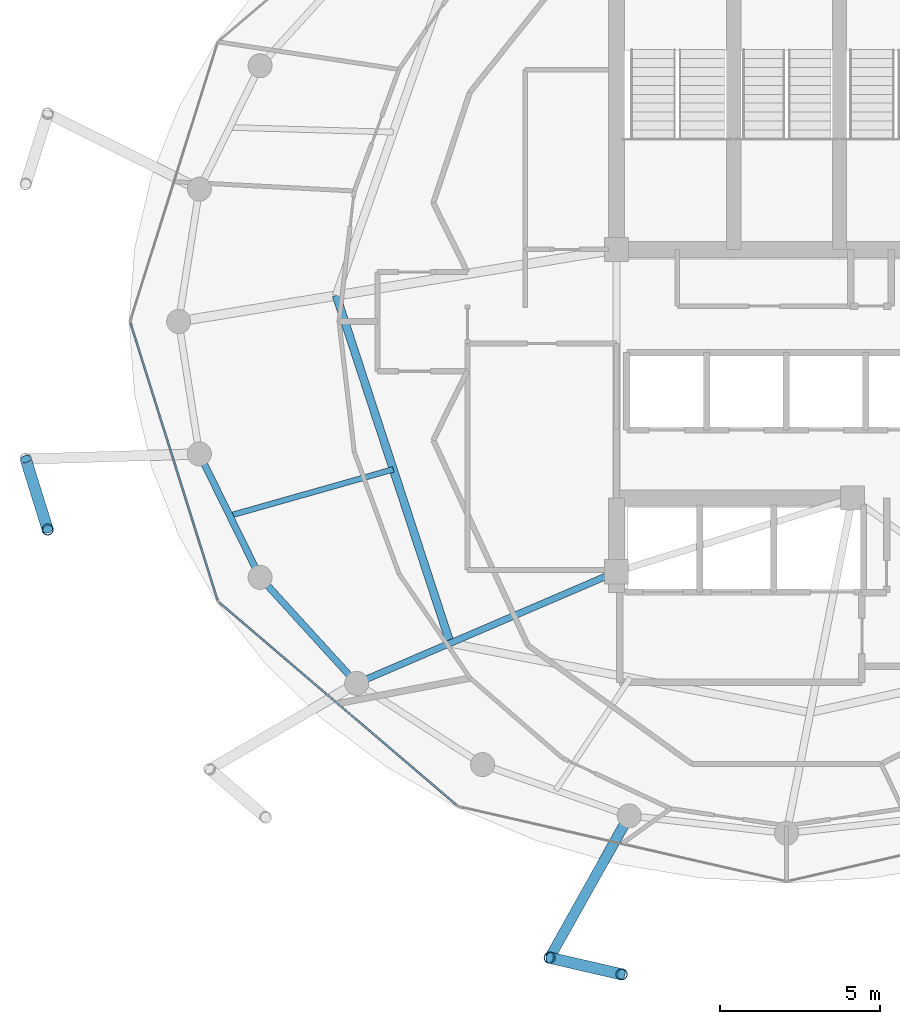
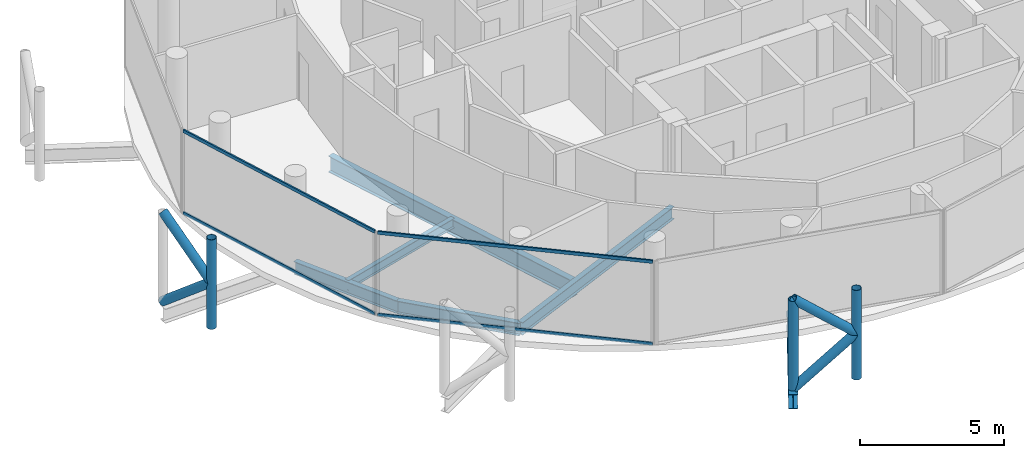
# One storey, part 3 of 24: 11 members, 6 beams, 2 elements without a shape of their own.
"""IFC4 building model written with IfcOpenShell, lengths in metres."""

from ifc_helpers import new_model, si_unit, direction, frame, origin, origin_2d, place, context, subcontext, project, spatial, hollow_rectangle, hollow_circle, i_section, extrude, material, layer, layer_set, material_profile, profile_set, type_object, element, aggregate, save


model = new_model("IFC4")

# Units and contexts
model_context = context("Model", 3, precision=1e-05, world=origin(), true_north=direction((0.0, 1.0)))
body_context = subcontext(model_context, "Body", "Model", "MODEL_VIEW")
ifc_project = project(units=[si_unit("LENGTHUNIT", "METRE"), si_unit("AREAUNIT", "SQUARE_METRE"), si_unit("VOLUMEUNIT", "CUBIC_METRE"), si_unit("PLANEANGLEUNIT", "RADIAN"), si_unit("MASSUNIT", "GRAM", prefix="KILO")], contexts=[model_context])

# Site, building, storey
site_placement = place(None, origin())
site = spatial("IfcSite", under=ifc_project, at=site_placement, CompositionType="ELEMENT")
building_placement = place(site_placement, origin())
building = spatial("IfcBuilding", under=site, at=building_placement, Name="Nuhasar Tower", CompositionType="ELEMENT")
storey_placement = place(building_placement, frame((0.0, 0.0, 282.199951171875)))
storey = spatial("IfcBuildingStorey", under=building, at=storey_placement, Name="L70", CompositionType="ELEMENT", Elevation=282.199951171875)

# Beams
ifc_material_1 = material(Name="Steel S355", Category="steel")
ifc_material_profile_1 = material_profile(ifc_material_1, i_section(OverallWidth=0.25390625, OverallDepth=0.68408203125, WebThickness=0.012451171875, FlangeThickness=0.018798828125, at=origin_2d()), Name="W27X94")
ifc_profile_set_1 = profile_set([ifc_material_profile_1], Name="Steel S355")
beam_type_1 = type_object("IfcBeamType", Name="BM-INRING-W27X94", PredefinedType="BEAM", material=ifc_profile_set_1)
beam_1_placement = place(storey_placement, frame((24.964111328125, 27.610107421875, -0.60205078125), z_axis=(0.311483801376, -0.950251462235, 0.0), x_axis=(0.950251462235, 0.311483801376, 0.0)))
element("IfcBeam", 1, at=beam_1_placement, inside=storey, type_object=beam_type_1, Name="L70 Inner Header Beam 08", PredefinedType="BEAM", context=body_context, shape_type="SweptSolid", body=[
    extrude(i_section(OverallWidth=0.25390625, OverallDepth=0.68408203125, WebThickness=0.012451171875, FlangeThickness=0.018798828125, at=origin_2d()), origin(), (0.0, 0.0, 1.0), 11.403564453125),
])
ifc_material_profile_2 = material_profile(ifc_material_1, i_section(OverallWidth=0.177978515625, OverallDepth=0.406005859375, WebThickness=0.0078125, FlangeThickness=0.0126953125, at=origin_2d()), Name="W16X40")
ifc_profile_set_2 = profile_set([ifc_material_profile_2], Name="Steel S355")
beam_type_2 = type_object("IfcBeamType", Name="BM-JST-W16X40", PredefinedType="JOIST", material=ifc_profile_set_2)
beam_2_placement = place(storey_placement, frame((26.739990234375, 22.19189453125, -0.462890625), z_axis=(-0.962154316042, -0.272505178156, 0.0), x_axis=(0.272505178156, -0.962154316042, 0.0)))
element("IfcBeam", 2, at=beam_2_placement, inside=storey, type_object=beam_type_2, Name="L70 Secondary Floor Joist 08", PredefinedType="JOIST", context=body_context, shape_type="SweptSolid", body=[
    extrude(i_section(OverallWidth=0.177978515625, OverallDepth=0.406005859375, WebThickness=0.0078125, FlangeThickness=0.0126953125, at=origin_2d()), origin(), (0.0, 0.0, 1.0), 5.29833984375),
])
ifc_material_profile_3 = material_profile(ifc_material_1, i_section(OverallWidth=0.208984375, OverallDepth=0.528076171875, WebThickness=0.009521484375, FlangeThickness=0.01318359375, at=origin_2d()), Name="W21X55")
ifc_profile_set_3 = profile_set([ifc_material_profile_3], Name="Steel S355")
beam_type_3 = type_object("IfcBeamType", Name="BM-RAD-W21X55", PredefinedType="BEAM", material=ifc_profile_set_3)
beam_3_placement = place(storey_placement, frame((33.699951171875, 19.0, -0.52392578125), z_axis=(-0.91887119061, -0.394557644797, 0.0), x_axis=(0.394557644797, -0.91887119061, 0.0)))
element("IfcBeam", 3, at=beam_3_placement, inside=storey, type_object=beam_type_3, Name="L70 Radial Floor Girder 01", PredefinedType="BEAM", context=body_context, shape_type="SweptSolid", body=[
    extrude(i_section(OverallWidth=0.208984375, OverallDepth=0.528076171875, WebThickness=0.009521484375, FlangeThickness=0.01318359375, at=origin_2d()), origin(), (0.0, 0.0, 1.0), 8.81494140625),
])
ifc_material_profile_4 = material_profile(ifc_material_1, i_section(OverallWidth=0.2099609375, OverallDepth=0.537109375, WebThickness=0.010986328125, FlangeThickness=0.017333984375, at=origin_2d()), Name="W21X68")
ifc_profile_set_4 = profile_set([ifc_material_profile_4], Name="Steel S355")
beam_type_4 = type_object("IfcBeamType", Name="BM-RING-W21X68", PredefinedType="SPANDREL", material=ifc_profile_set_4)
beam_4_placement = place(storey_placement, frame((20.696044921875, 22.672119140625, -0.529052734375), z_axis=(0.441510561726, -0.897256052576, 0.0), x_axis=(0.897256052576, 0.441510561726, 0.0)))
element("IfcBeam", 4, at=beam_4_placement, inside=storey, type_object=beam_type_4, Name="L70 Perimeter Ring Spandrel 14", PredefinedType="SPANDREL", context=body_context, shape_type="SweptSolid", body=[
    extrude(i_section(OverallWidth=0.2099609375, OverallDepth=0.537109375, WebThickness=0.010986328125, FlangeThickness=0.017333984375, at=origin_2d()), origin(), (0.0, 0.0, 1.0), 4.28759765625),
])
beam_5_placement = place(storey_placement, frame((22.589111328125, 18.824951171875, -0.529052734375), z_axis=(0.673686302939, -0.739017432293, 0.0), x_axis=(0.739017432293, 0.673686302939, 0.0)))
element("IfcBeam", 5, at=beam_5_placement, inside=storey, type_object=beam_type_4, Name="L70 Perimeter Ring Spandrel 15", PredefinedType="SPANDREL", context=body_context, shape_type="SweptSolid", body=[
    extrude(i_section(OverallWidth=0.2099609375, OverallDepth=0.537109375, WebThickness=0.010986328125, FlangeThickness=0.017333984375, at=origin_2d()), origin(), (0.0, 0.0, 1.0), 4.469482421875),
])
ifc_material_profile_5 = material_profile(ifc_material_1, i_section(OverallWidth=0.323974609375, OverallDepth=0.611083984375, WebThickness=0.0126953125, FlangeThickness=0.01904296875, at=origin_2d()), Name="W24X104")
ifc_profile_set_5 = profile_set([ifc_material_profile_5], Name="Steel S355")
beam_type_5 = type_object("IfcBeamType", Name="BM-TIE-W24X104", PredefinedType="BEAM", material=ifc_profile_set_5)
beam_6_placement = place(storey_placement, frame((34.094970703125, 11.39306640625, -0.56494140625), z_axis=(-0.488667847762, -0.872469904675, 0.0), x_axis=(0.872469904675, -0.488667847762, 0.0)))
element("IfcBeam", 6, at=beam_6_placement, inside=storey, type_object=beam_type_5, Name="L70 Exoskeleton Node Tie Beam 09", PredefinedType="BEAM", context=body_context, shape_type="SweptSolid", body=[
    extrude(i_section(OverallWidth=0.323974609375, OverallDepth=0.611083984375, WebThickness=0.0126953125, FlangeThickness=0.01904296875, at=origin_2d()), origin(), (0.0, 0.0, 1.0), 5.072998046875),
])

# Curtain wall, members
ifc_material_2 = material(Name="Aluminium 6063-T6", Category="aluminium")
ifc_layer = layer(ifc_material_2, 0.18994140625)
ifc_layer_set = layer_set([ifc_layer], Name="Aluminium 6063-T6")
curtain_wall_type = type_object("IfcCurtainWallType", Name="CW-Z4-PEN", PredefinedType="NOTDEFINED", material=ifc_layer_set)
curtain_wall_1_placement = place(storey_placement, origin())
curtain_wall_1 = element("IfcCurtainWall", 7, at=curtain_wall_1_placement, inside=storey, type_object=curtain_wall_type, Name="L70 Unitised Curtain Wall 07", PredefinedType="NOTDEFINED")
ifc_material_profile_6 = material_profile(ifc_material_2, hollow_rectangle(XDim=0.06005859375, YDim=0.135009765625, WallThickness=0.00439453125, at=origin_2d()), Name="CWT-5")
ifc_profile_set_6 = profile_set([ifc_material_profile_6], Name="Aluminium 6063-T6")
member_type_1 = type_object("IfcMemberType", Name="CW-TRN-S5", PredefinedType="USERDEFINED", material=ifc_profile_set_6)
member_1_placement = place(storey_placement, frame((18.557861328125, 26.74267578125, 0.030029296875), z_axis=(0.29956014073, -0.954077419335, 0.0), x_axis=(0.954077419335, 0.29956014073, 0.0)))
member_1 = element("IfcMember", 8, at=member_1_placement, type_object=member_type_1, Name="CW-Z4 transom 1.1", ObjectType="TRANSOM", PredefinedType="USERDEFINED", context=body_context, shape_type="SweptSolid", body=[
    extrude(hollow_rectangle(XDim=0.06005859375, YDim=0.135009765625, WallThickness=0.00439453125, at=origin_2d()), origin(), (0.0, 0.0, 1.0), 9.0302734375),
])
member_2_placement = place(storey_placement, frame((18.557861328125, 26.74267578125, 3.510009765625), z_axis=(0.29956014073, -0.954077419335, 0.0), x_axis=(0.954077419335, 0.29956014073, 0.0)))
member_2 = element("IfcMember", 9, at=member_2_placement, type_object=member_type_1, Name="CW-Z4 transom 1.2", ObjectType="TRANSOM", PredefinedType="USERDEFINED", context=body_context, shape_type="SweptSolid", body=[
    extrude(hollow_rectangle(XDim=0.06005859375, YDim=0.135009765625, WallThickness=0.00439453125, at=origin_2d()), origin(), (0.0, 0.0, 1.0), 9.0302734375),
])
aggregate(curtain_wall_1, [member_1, member_2])

curtain_wall_2_placement = place(storey_placement, origin())
curtain_wall_2 = element("IfcCurtainWall", 10, at=curtain_wall_2_placement, inside=storey, type_object=curtain_wall_type, Name="L70 Unitised Curtain Wall 08", PredefinedType="NOTDEFINED")
member_3_placement = place(storey_placement, frame((21.32666015625, 18.031005859375, 0.030029296875), z_axis=(0.760672431431, -0.649135927261, 0.0), x_axis=(0.649135927261, 0.760672431431, 0.0)))
member_3 = element("IfcMember", 11, at=member_3_placement, type_object=member_type_1, Name="CW-Z4 transom 1.1", ObjectType="TRANSOM", PredefinedType="USERDEFINED", context=body_context, shape_type="SweptSolid", body=[
    extrude(hollow_rectangle(XDim=0.06005859375, YDim=0.135009765625, WallThickness=0.00439453125, at=origin_2d()), origin(), (0.0, 0.0, 1.0), 9.72509765625),
])
member_4_placement = place(storey_placement, frame((21.32666015625, 18.031005859375, 3.510009765625), z_axis=(0.760672431431, -0.649135927261, 0.0), x_axis=(0.649135927261, 0.760672431431, 0.0)))
member_4 = element("IfcMember", 12, at=member_4_placement, type_object=member_type_1, Name="CW-Z4 transom 1.2", ObjectType="TRANSOM", PredefinedType="USERDEFINED", context=body_context, shape_type="SweptSolid", body=[
    extrude(hollow_rectangle(XDim=0.06005859375, YDim=0.135009765625, WallThickness=0.00439453125, at=origin_2d()), origin(), (0.0, 0.0, 1.0), 9.72509765625),
])
aggregate(curtain_wall_2, [member_3, member_4])

# Members
ifc_material_3 = material(Name="Steel S460", Category="steel")
ifc_material_profile_7 = material_profile(ifc_material_3, hollow_circle(Radius=0.177734375, WallThickness=0.015869140625, at=origin_2d()), Name="HSS355.6X15.9")
ifc_profile_set_7 = profile_set([ifc_material_profile_7], Name="Steel S460")
member_type_2 = type_object("IfcMemberType", Name="EXO-BRONZE-356", PredefinedType="BRACE", material=ifc_profile_set_7)
for number, where, z_axis, x_axis, name in (
    (13, (15.967041015625, 20.319091796875, 0.0), (0.0, 0.0, 1.0), (1.0, 0.0, 0.0), "L70 Exoskeleton Chord Column EC-07B"),
    (14, (31.615966796875, 6.967041015625, 0.0), (0.0, 0.0, 1.0), (1.0, 0.0, 0.0), "L70 Exoskeleton Chord Column EC-09A"),
    (15, (33.85693359375, 6.450927734375, 0.0), (0.0, 0.0, 1.0), (1.0, 0.0, 0.0), "L70 Exoskeleton Chord Column EC-09B"),
):
    element("IfcMember", number, at=place(storey_placement, frame(where, z_axis=z_axis, x_axis=x_axis)), inside=storey, type_object=member_type_2, Name=name, PredefinedType="BRACE", context=body_context, shape_type="SweptSolid", body=[
        extrude(hollow_circle(Radius=0.177734375, WallThickness=0.015869140625, at=origin_2d()), origin(), (0.0, 0.0, 1.0), 3.800048828125),
    ])
member_5_placement = place(storey_placement, frame((15.281982421875, 22.513916015625, 0.0), z_axis=(0.229669386127, -0.73582600901, 0.637033796232), x_axis=(0.954581948223, 0.297948492404, 0.0)))
element("IfcMember", 16, at=member_5_placement, inside=storey, type_object=member_type_2, Name="L70 Bronze Diagrid Brace W1-07", PredefinedType="BRACE", context=body_context, shape_type="SweptSolid", body=[
    extrude(hollow_circle(Radius=0.177734375, WallThickness=0.015869140625, at=origin_2d()), origin(), (0.0, 0.0, 1.0), 2.98291015625),
])
member_6_placement = place(storey_placement, frame((15.967041015625, 20.319091796875, 1.900146484375), z_axis=(-0.229681361446, 0.735864376122, 0.636985158507), x_axis=(-0.954581948223, -0.297948492404, 0.0)))
element("IfcMember", 17, at=member_6_placement, inside=storey, type_object=member_type_2, Name="L70 Bronze Diagrid Brace W2-07", PredefinedType="BRACE", context=body_context, shape_type="SweptSolid", body=[
    extrude(hollow_circle(Radius=0.177734375, WallThickness=0.015869140625, at=origin_2d()), origin(), (0.0, 0.0, 1.0), 2.982666015625),
])
member_7_placement = place(storey_placement, frame((31.615966796875, 6.967041015625, 0.0), z_axis=(0.751221815951, -0.173012628709, 0.636971281571), x_axis=(0.224433035437, 0.97448951385, 0.0)))
element("IfcMember", 18, at=member_7_placement, inside=storey, type_object=member_type_2, Name="L70 Bronze Diagrid Brace W1-09", PredefinedType="BRACE", context=body_context, shape_type="SweptSolid", body=[
    extrude(hollow_circle(Radius=0.177734375, WallThickness=0.015869140625, at=origin_2d()), origin(), (0.0, 0.0, 1.0), 2.983154296875),
])
member_8_placement = place(storey_placement, frame((33.85693359375, 6.450927734375, 1.900146484375), z_axis=(-0.751260978137, 0.173021648086, 0.636922642103), x_axis=(-0.224433035437, -0.97448951385, 0.0)))
element("IfcMember", 19, at=member_8_placement, inside=storey, type_object=member_type_2, Name="L70 Bronze Diagrid Brace W2-09", PredefinedType="BRACE", context=body_context, shape_type="SweptSolid", body=[
    extrude(hollow_circle(Radius=0.177734375, WallThickness=0.015869140625, at=origin_2d()), origin(), (0.0, 0.0, 1.0), 2.98291015625),
])

save(model, "model.ifc")
